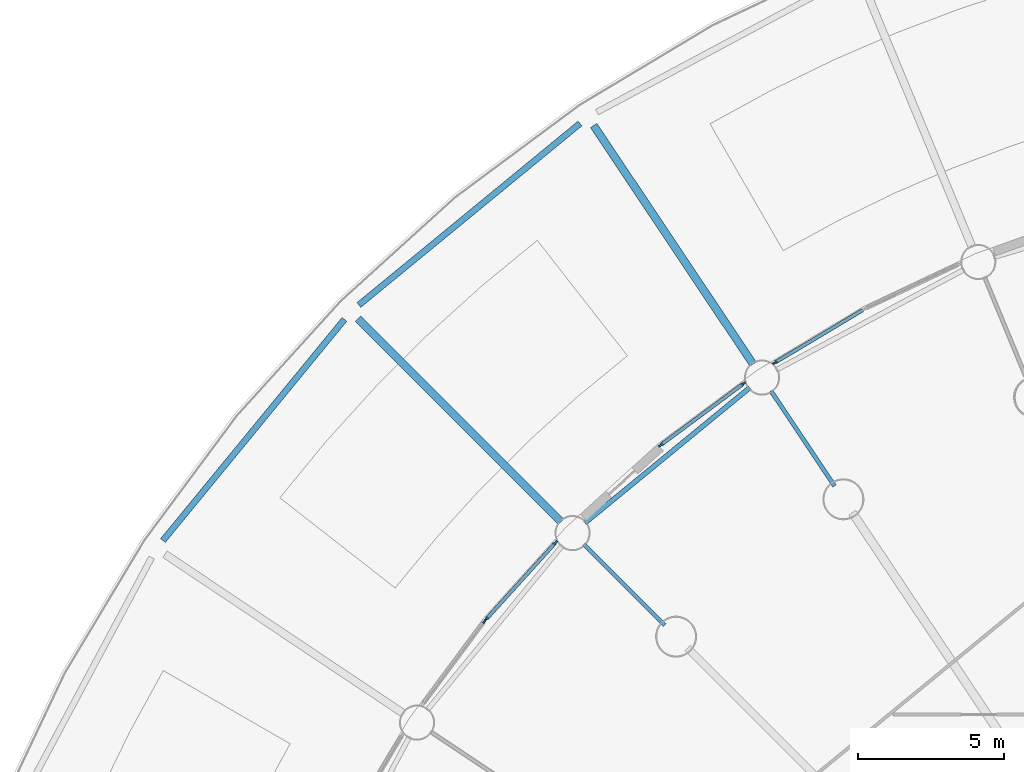
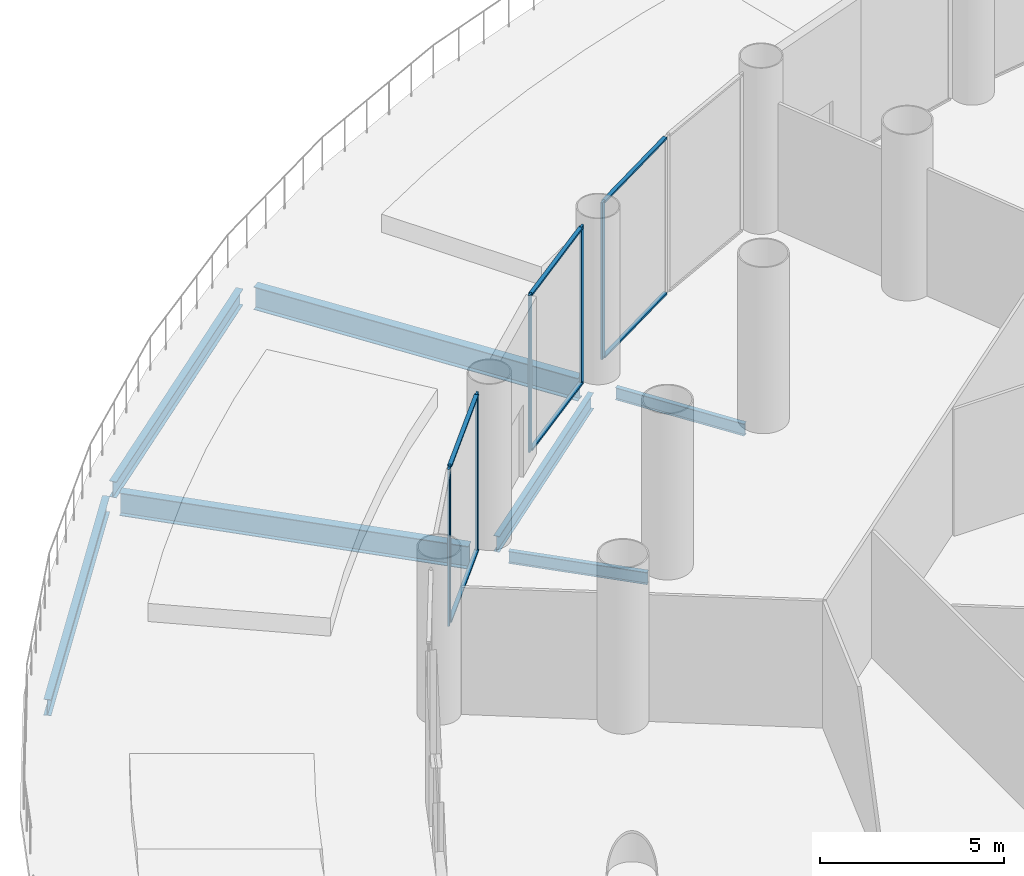
# One storey, part 19 of 36: 12 members, 7 beams, 4 elements without a shape of their own.
"""IFC4 building model written with IfcOpenShell, lengths in metres."""

import ifcopenshell
import ifcopenshell.guid

model = None  # the IFC model being written
_history = None  # IfcOwnerHistory: only IFC2X3 demands one
_inside = {}  # id of a spatial element -> (the spatial element, [elements in it])
_under = {}  # id of a project, library or spatial element -> (it, [spatial elements below it])
_declared = {}  # id of a project -> (the project, [libraries it declares])
_typed = {}  # id of a type object -> (the type object, [elements of that type])
_made_of = {}  # id of a material, layer set ... -> (it, [elements and type objects made of it])


def new_model(schema):
    """Start an empty IFC model of exactly this schema.

    Asked for "IFC4X3", IfcOpenShell would pick the latest addendum, in which some entities
    have other attributes; the version numbers below select the first issue.
    IFC2X3 requires an IfcOwnerHistory on every rooted entity: one is made here for all.
    """
    global model, _history
    if schema == "IFC4X3":
        model = ifcopenshell.file(schema_version=(4, 3, 0, 0))
    else:
        model = ifcopenshell.file(schema=schema)
    _inside.clear()
    _under.clear()
    _declared.clear()
    _typed.clear()
    _made_of.clear()
    _history = None
    if model.schema == "IFC2X3":
        org = make("IfcOrganization", Name="unknown")
        user = make(
            "IfcPersonAndOrganization",
            ThePerson=make("IfcPerson", FamilyName="unknown"),
            TheOrganization=org,
        )
        app = make(
            "IfcApplication",
            ApplicationDeveloper=org,
            Version="unknown",
            ApplicationFullName="unknown",
            ApplicationIdentifier="unknown",
        )
        _history = make(
            "IfcOwnerHistory",
            OwningUser=user,
            OwningApplication=app,
            ChangeAction="ADDED",
            CreationDate=0,
        )
    return model


def make(cls, **values):
    """One entity of the class cls with the attributes given. An attribute that is None is left unset."""
    return model.create_entity(
        cls, **{name: value for name, value in values.items() if value is not None}
    )


def rooted(cls, **values):
    """An entity with a GlobalId (a new one), such as an element, a storey or a relation."""
    return make(cls, GlobalId=ifcopenshell.guid.new(), OwnerHistory=_history, **values)


def si_unit(unit_type, name, prefix=None):
    """IfcSIUnit, for example si_unit("LENGTHUNIT", "METRE", prefix="MILLI")."""
    return make("IfcSIUnit", UnitType=unit_type, Prefix=prefix, Name=name)


def assignment(units):
    """IfcUnitAssignment: the units of a project."""
    return None if units is None else make("IfcUnitAssignment", Units=units)


def point(xyz):
    """IfcCartesianPoint."""
    return None if xyz is None else make("IfcCartesianPoint", Coordinates=xyz)


def direction(xyz):
    """IfcDirection."""
    return None if xyz is None else make("IfcDirection", DirectionRatios=xyz)


def frame(location, z_axis=None, x_axis=None):
    """IfcAxis2Placement3D, a coordinate frame: its origin and axes. An axis left out is left unset."""
    return make(
        "IfcAxis2Placement3D",
        Location=point(location),
        Axis=direction(z_axis),
        RefDirection=direction(x_axis),
    )


def frame_2d(location, x_axis=None):
    """IfcAxis2Placement2D, a coordinate frame in the plane: its origin and x axis."""
    return make(
        "IfcAxis2Placement2D", Location=point(location), RefDirection=direction(x_axis)
    )


def origin():
    """The frame at (0, 0, 0) with its axes left unset."""
    return frame((0.0, 0.0, 0.0))


def origin_2d():
    """The frame at (0, 0) in the plane with its x axis left unset."""
    return frame_2d((0.0, 0.0))


def place(relative_to, where):
    """IfcLocalPlacement: puts the frame where relative to a parent placement (None: the world)."""
    return make(
        "IfcLocalPlacement", PlacementRelTo=relative_to, RelativePlacement=where
    )


def context(
    kind, dimensions, precision=None, world=None, true_north=None, identifier=None
):
    """IfcGeometricRepresentationContext, for example the 3D "Model" context."""
    return make(
        "IfcGeometricRepresentationContext",
        ContextIdentifier=identifier,
        ContextType=kind,
        CoordinateSpaceDimension=dimensions,
        Precision=precision,
        WorldCoordinateSystem=world,
        TrueNorth=true_north,
    )


def subcontext(parent, identifier, kind, view, scale=None):
    """IfcGeometricRepresentationSubContext, for example "Body" below "Model"."""
    return make(
        "IfcGeometricRepresentationSubContext",
        ContextIdentifier=identifier,
        ContextType=kind,
        ParentContext=parent,
        TargetScale=scale,
        TargetView=view,
    )


def project(units=None, contexts=None):
    """IfcProject with its units and contexts."""
    return rooted(
        "IfcProject",
        Name="project",
        RepresentationContexts=contexts,
        UnitsInContext=assignment(units),
    )


def spatial(cls, under=None, at=None, **own):
    """A site, building, storey or space (cls), placed at a placement, below another one or the project."""
    s = rooted(cls, ObjectPlacement=at, **own)
    if under is not None:
        _under.setdefault(under.id(), (under, []))[1].append(s)
    return s


def profile(cls, at=None, kind="AREA", **sizes):
    """A parametric profile (cls). Its sizes go by their IFC names, for example OverallWidth=200.0."""
    return make(cls, ProfileType=kind, Position=at, **sizes)


def rectangle(**sizes):
    """IfcRectangleProfileDef."""
    return profile("IfcRectangleProfileDef", **sizes)


def i_section(**sizes):
    """IfcIShapeProfileDef."""
    return profile("IfcIShapeProfileDef", **sizes)


def extrude(swept, where, along, depth):
    """IfcExtrudedAreaSolid: the profile swept, set in the frame where, extruded along a direction by depth."""
    return make(
        "IfcExtrudedAreaSolid",
        SweptArea=swept,
        Position=where,
        ExtrudedDirection=direction(along),
        Depth=depth,
    )


def shape(context_of_items, identifier, shape_type, items):
    """IfcShapeRepresentation: the items that make up one representation, for example the "Body"."""
    return make(
        "IfcShapeRepresentation",
        ContextOfItems=context_of_items,
        RepresentationIdentifier=identifier,
        RepresentationType=shape_type,
        Items=items,
    )


def material(Name=None, Category=None):
    """IfcMaterial."""
    return make("IfcMaterial", Name=Name, Category=Category)


def material_profile(
    of_material, cross_section, Name=None, Category=None, Priority=None
):
    """IfcMaterialProfile: a cross section and its material."""
    return make(
        "IfcMaterialProfile",
        Name=Name,
        Material=of_material,
        Profile=cross_section,
        Priority=Priority,
        Category=Category,
    )


def profile_set(profiles, Name=None, composite=None):
    """IfcMaterialProfileSet."""
    return make(
        "IfcMaterialProfileSet",
        Name=Name,
        MaterialProfiles=profiles,
        CompositeProfile=composite,
    )


def made_of(thing, what):
    """Note that an element or type object is made of a material, layer set ...; save() writes the relation."""
    if what is not None:
        _made_of.setdefault(what.id(), (what, []))[1].append(thing)
    return thing


def type_object(cls, material=None, **own):
    """A type object (cls), such as IfcWallType, which elements share."""
    return made_of(rooted(cls, **own), material)


def element(
    cls,
    number,
    at=None,
    inside=None,
    cuts=None,
    type_object=None,
    material=None,
    context=None,
    identifier="Body",
    shape_type=None,
    held_by="IfcProductDefinitionShape",
    body=None,
    shapes=None,
    **own,
):
    """One element of the class cls, such as IfcWall. Its Tag is "e" and its number.

    at: its placement. inside: the storey or other place that contains it. cuts: it is an
    opening in that element (IfcRelVoidsElement). A single representation is given by context,
    identifier, shape_type and body (its items); several are given by shapes. held_by: the class
    of the entity that holds the representations. save() writes the other relations.
    """
    e = rooted(cls, Tag="e%d" % number, ObjectPlacement=at, **own)
    if body is not None:
        shapes = [shape(context, identifier, shape_type, body)]
    if shapes is not None:
        e.Representation = make(held_by, Representations=shapes)
    if inside is not None:
        _inside.setdefault(inside.id(), (inside, []))[1].append(e)
    if cuts is not None:
        rooted(
            "IfcRelVoidsElement", RelatingBuildingElement=cuts, RelatedOpeningElement=e
        )
    if type_object is not None:
        _typed.setdefault(type_object.id(), (type_object, []))[1].append(e)
    return made_of(e, material)


def aggregate(whole, parts):
    """IfcRelAggregates: a whole, such as a stair, and the parts it consists of."""
    return rooted("IfcRelAggregates", RelatingObject=whole, RelatedObjects=parts)


def save(model, path):
    """Write the relations noted so far, then the file.

    IfcRelAggregates (storeys below a building ...), IfcRelContainedInSpatialStructure (elements
    in a storey), IfcRelDefinesByType, IfcRelAssociatesMaterial and IfcRelDeclares: one each for
    every whole, place, type object, material and project.
    """
    for whole, parts in _under.values():
        aggregate(whole, parts)
    for where, things in _inside.values():
        rooted(
            "IfcRelContainedInSpatialStructure",
            RelatedElements=things,
            RelatingStructure=where,
        )
    for kind, things in _typed.values():
        rooted("IfcRelDefinesByType", RelatedObjects=things, RelatingType=kind)
    for what, things in _made_of.values():
        rooted("IfcRelAssociatesMaterial", RelatedObjects=things, RelatingMaterial=what)
    for by, libraries in _declared.values():
        rooted("IfcRelDeclares", RelatingContext=by, RelatedDefinitions=libraries)
    model.write(path)


model = new_model("IFC4")

# Units and contexts
model_context = context("Model", 3, precision=1e-05, world=origin(), true_north=direction((0.0, 1.0)))
body_context = subcontext(model_context, "Body", "Model", "MODEL_VIEW")
ifc_project = project(units=[si_unit("LENGTHUNIT", "METRE"), si_unit("AREAUNIT", "SQUARE_METRE"), si_unit("VOLUMEUNIT", "CUBIC_METRE"), si_unit("PLANEANGLEUNIT", "RADIAN"), si_unit("MASSUNIT", "GRAM", prefix="KILO")], contexts=[model_context])

# Site, building, storey
site_placement = place(None, origin())
site = spatial("IfcSite", under=ifc_project, at=site_placement, CompositionType="ELEMENT")
building_placement = place(site_placement, origin())
building = spatial("IfcBuilding", under=site, at=building_placement, Name="Corvane Civic Tower", CompositionType="ELEMENT")
storey_placement = place(building_placement, frame((0.0, 0.0, 6.0)))
storey = spatial("IfcBuildingStorey", under=building, at=storey_placement, Name="L01", CompositionType="ELEMENT", Elevation=6.0)

# Beams
ifc_material_1 = material(Name="Steel ASTM A992 Gr 50", Category="steel")
ifc_material_profile_1 = material_profile(ifc_material_1, i_section(OverallWidth=0.2666015625, OverallDepth=0.7568359375, WebThickness=0.013916015625, FlangeThickness=0.019287109375, at=origin_2d()), Name="W30X108")
ifc_profile_set_1 = profile_set([ifc_material_profile_1], Name="Steel ASTM A992 Gr 50")
beam_type_1 = type_object("IfcBeamType", Name="DECK BEAM W30X108", PredefinedType="BEAM", material=ifc_profile_set_1)
beam_1_placement = place(storey_placement, frame((-30.582275390625, 30.582275390625, -0.678466796875), z_axis=(-0.707106781187, 0.707106781187, 0.0), x_axis=(-0.707106781187, -0.707106781187, 0.0)))
element("IfcBeam", 1, at=beam_1_placement, inside=storey, type_object=beam_type_1, Name="BM-L01-D29", PredefinedType="BEAM", context=body_context, shape_type="SweptSolid", body=[
    extrude(i_section(OverallWidth=0.2666015625, OverallDepth=0.7568359375, WebThickness=0.013916015625, FlangeThickness=0.019287109375, at=origin_2d()), origin(), (0.0, 0.0, 1.0), 9.800048828125),
])
beam_2_placement = place(storey_placement, frame((-24.0283203125, 35.961181640625, -0.678466796875), z_axis=(-0.555579498385, 0.831463421309, 0.0), x_axis=(-0.831463421309, -0.555579498385, 0.0)))
element("IfcBeam", 2, at=beam_2_placement, inside=storey, type_object=beam_type_1, Name="BM-L01-D30", PredefinedType="BEAM", context=body_context, shape_type="SweptSolid", body=[
    extrude(i_section(OverallWidth=0.2666015625, OverallDepth=0.7568359375, WebThickness=0.013916015625, FlangeThickness=0.019287109375, at=origin_2d()), origin(), (0.0, 0.0, 1.0), 9.7998046875),
])
ifc_material_2 = material(Name="Steel ASTM A992 Gr 50", Category="steel")
ifc_material_profile_2 = material_profile(ifc_material_2, i_section(OverallWidth=0.165771484375, OverallDepth=0.5283203125, WebThickness=0.009765625, FlangeThickness=0.013671875, at=origin_2d()), Name="W21X50")
ifc_profile_set_2 = profile_set([ifc_material_profile_2], Name="Steel ASTM A992 Gr 50")
beam_type_2 = type_object("IfcBeamType", Name="EDGE BEAM W21X50", PredefinedType="BEAM", material=ifc_profile_set_2)
beam_3_placement = place(storey_placement, frame((-29.768310546875, 30.542236328125, -0.564208984375), z_axis=(0.773007924807, 0.634396365205, 0.0), x_axis=(-0.634396365205, 0.773007924807, 0.0)))
element("IfcBeam", 3, at=beam_3_placement, inside=storey, type_object=beam_type_2, Name="BM-L01-E29", PredefinedType="BEAM", context=body_context, shape_type="SweptSolid", body=[
    extrude(i_section(OverallWidth=0.165771484375, OverallDepth=0.5283203125, WebThickness=0.009765625, FlangeThickness=0.013671875, at=origin_2d()), origin(), (0.0, 0.0, 1.0), 7.270751953125),
])
ifc_material_3 = material(Name="Steel ASTM A992 Gr 50", Category="steel")
ifc_material_profile_3 = material_profile(ifc_material_3, i_section(OverallWidth=0.209228515625, OverallDepth=0.533447265625, WebThickness=0.01025390625, FlangeThickness=0.015625, at=origin_2d()), Name="W21X62")
ifc_profile_set_3 = profile_set([ifc_material_profile_3], Name="Steel ASTM A992 Gr 50")
beam_type_3 = type_object("IfcBeamType", Name="EDGE BEAM W21X62", PredefinedType="BEAM", material=ifc_profile_set_3)
for number, where, z_axis, x_axis, name in (
    (4, (-44.178466796875, 29.93798828125, -0.566650390625), (0.634396654537, 0.773007687357, 0.0), (-0.773007687357, 0.634396654537, 0.0), "BM-L01-H28"),
    (5, (-37.489013671875, 37.9814453125, -0.566650390625), (0.773007687357, 0.634396654537, 0.0), (-0.634396654537, 0.773007687357, 0.0), "BM-L01-H29"),
):
    element("IfcBeam", number, at=place(storey_placement, frame(where, z_axis=z_axis, x_axis=x_axis)), inside=storey, type_object=beam_type_3, Name=name, PredefinedType="BEAM", context=body_context, shape_type="SweptSolid", body=[
        extrude(i_section(OverallWidth=0.209228515625, OverallDepth=0.533447265625, WebThickness=0.01025390625, FlangeThickness=0.015625, at=origin_2d()), origin(), (0.0, 0.0, 1.0), 9.768310546875),
    ])
ifc_material_4 = material(Name="Steel ASTM A992 Gr 50", Category="steel")
ifc_material_profile_4 = material_profile(ifc_material_4, i_section(OverallWidth=0.140380859375, OverallDepth=0.40380859375, WebThickness=0.007080078125, FlangeThickness=0.01123046875, at=origin_2d()), Name="W16X31")
ifc_profile_set_4 = profile_set([ifc_material_profile_4], Name="Steel ASTM A992 Gr 50")
beam_type_4 = type_object("IfcBeamType", Name="FLOOR GIRDER W16X31", PredefinedType="BEAM", material=ifc_profile_set_4)
for number, where, z_axis, x_axis, name in (
    (6, (-27.046875, 27.046875, -0.501953125), (-0.707106781187, 0.707106781187, 0.0), (-0.707106781187, -0.707106781187, 0.0), "BM-L01-G29b"),
    (7, (-21.25048828125, 31.8037109375, -0.501953125), (-0.555581110199, 0.831462344301, 0.0), (-0.831462344301, -0.555581110199, 0.0), "BM-L01-G30b"),
):
    element("IfcBeam", number, at=place(storey_placement, frame(where, z_axis=z_axis, x_axis=x_axis)), inside=storey, type_object=beam_type_4, Name=name, PredefinedType="BEAM", context=body_context, shape_type="SweptSolid", body=[
        extrude(i_section(OverallWidth=0.140380859375, OverallDepth=0.40380859375, WebThickness=0.007080078125, FlangeThickness=0.01123046875, at=origin_2d()), origin(), (0.0, 0.0, 1.0), 3.89990234375),
    ])

# Curtain wall, member
ifc_material_5 = material(Name="Aluminium and glass", Category="aluminium")
curtain_wall_type = type_object("IfcCurtainWallType", Name="PODIUM-CW-P-RUN", PredefinedType="NOTDEFINED", material=ifc_material_5)
curtain_wall_1_placement = place(storey_placement, origin())
curtain_wall_1 = element("IfcCurtainWall", 8, at=curtain_wall_1_placement, inside=storey, type_object=curtain_wall_type, Name="PODI run L01-drum-28A", PredefinedType="NOTDEFINED")
ifc_material_6 = material(Name="Anodised aluminium bronze", Category="aluminium")
ifc_material_profile_5 = material_profile(ifc_material_6, rectangle(XDim=0.06005859375, YDim=0.159912109375, at=origin_2d()), Name="AL 60x160")
ifc_profile_set_5 = profile_set([ifc_material_profile_5], Name="Anodised aluminium bronze")
member_type_1 = type_object("IfcMemberType", Name="PODIUM-CWP-MULLION-60x160", PredefinedType="MULLION", material=ifc_profile_set_5)
member_1_placement = place(storey_placement, frame((-33.197021484375, 27.18505859375, 0.0), z_axis=(0.0, 0.0, 1.0), x_axis=(-0.803203229747, 0.595705104665, 0.0)))
member_1 = element("IfcMember", 9, at=member_1_placement, type_object=member_type_1, Name="CW-P mullion 2", PredefinedType="MULLION", context=body_context, shape_type="SweptSolid", body=[
    extrude(rectangle(XDim=0.06005859375, YDim=0.159912109375, at=origin_2d()), origin(), (0.0, 0.0, 1.0), 5.199951171875),
])
aggregate(curtain_wall_1, [member_1])

# Curtain wall, members
curtain_wall_2_placement = place(storey_placement, origin())
curtain_wall_2 = element("IfcCurtainWall", 10, at=curtain_wall_2_placement, inside=storey, type_object=curtain_wall_type, Name="PODI run L01-drum-28B", PredefinedType="NOTDEFINED")
member_2_placement = place(storey_placement, frame((-33.13916015625, 27.25537109375, 0.0), z_axis=(0.0, 0.0, 1.0), x_axis=(-0.740935261089, 0.671576457952, 0.0)))
member_2 = element("IfcMember", 11, at=member_2_placement, type_object=member_type_1, Name="CW-P mullion 1", PredefinedType="MULLION", context=body_context, shape_type="SweptSolid", body=[
    extrude(rectangle(XDim=0.06005859375, YDim=0.159912109375, at=origin_2d()), origin(), (0.0, 0.0, 1.0), 5.199951171875),
])
member_3_placement = place(storey_placement, frame((-30.775390625, 29.863525390625, 0.0), z_axis=(0.0, 0.0, 1.0), x_axis=(-0.740935261089, 0.671576457952, 0.0)))
member_3 = element("IfcMember", 12, at=member_3_placement, type_object=member_type_1, Name="CW-P mullion 2", PredefinedType="MULLION", context=body_context, shape_type="SweptSolid", body=[
    extrude(rectangle(XDim=0.06005859375, YDim=0.159912109375, at=origin_2d()), origin(), (0.0, 0.0, 1.0), 5.199951171875),
])

curtain_wall_3_placement = place(storey_placement, origin())
curtain_wall_3 = element("IfcCurtainWall", 13, at=curtain_wall_3_placement, inside=storey, type_object=curtain_wall_type, Name="PODI run L01-drum-29B", PredefinedType="NOTDEFINED")
member_4_placement = place(storey_placement, frame((-27.18505859375, 33.197021484375, 0.0), z_axis=(0.0, 0.0, 1.0), x_axis=(-0.595705104665, 0.803203229747, 0.0)))
member_4 = element("IfcMember", 14, at=member_4_placement, type_object=member_type_1, Name="CW-P mullion 1", PredefinedType="MULLION", context=body_context, shape_type="SweptSolid", body=[
    extrude(rectangle(XDim=0.06005859375, YDim=0.159912109375, at=origin_2d()), origin(), (0.0, 0.0, 1.0), 5.199951171875),
])
member_5_placement = place(storey_placement, frame((-24.35791015625, 35.293701171875, 0.0), z_axis=(0.0, 0.0, 1.0), x_axis=(-0.595705104665, 0.803203229747, 0.0)))
member_5 = element("IfcMember", 15, at=member_5_placement, type_object=member_type_1, Name="CW-P mullion 2", PredefinedType="MULLION", context=body_context, shape_type="SweptSolid", body=[
    extrude(rectangle(XDim=0.06005859375, YDim=0.159912109375, at=origin_2d()), origin(), (0.0, 0.0, 1.0), 5.199951171875),
])

# Curtain wall, member
curtain_wall_4_placement = place(storey_placement, origin())
curtain_wall_4 = element("IfcCurtainWall", 16, at=curtain_wall_4_placement, inside=storey, type_object=curtain_wall_type, Name="PODI run L01-drum-30A", PredefinedType="NOTDEFINED")
member_6_placement = place(storey_placement, frame((-23.28564453125, 36.010009765625, 0.0), z_axis=(0.0, 0.0, 1.0), x_axis=(-0.514117759857, 0.857719609779, 0.0)))
member_6 = element("IfcMember", 17, at=member_6_placement, type_object=member_type_1, Name="CW-P mullion 1", PredefinedType="MULLION", context=body_context, shape_type="SweptSolid", body=[
    extrude(rectangle(XDim=0.06005859375, YDim=0.159912109375, at=origin_2d()), origin(), (0.0, 0.0, 1.0), 5.199951171875),
])

# Member
ifc_material_7 = material(Name="Anodised aluminium bronze", Category="aluminium")
ifc_material_profile_6 = material_profile(ifc_material_7, rectangle(XDim=0.1201171875, YDim=0.06005859375, at=origin_2d()), Name="AL 120x60")
ifc_profile_set_6 = profile_set([ifc_material_profile_6], Name="Anodised aluminium bronze")
member_type_2 = type_object("IfcMemberType", Name="PODIUM-CWP-TRANSOM-60x120", PredefinedType="USERDEFINED", material=ifc_profile_set_6)
member_7_placement = place(storey_placement, frame((-33.119140625, 27.277587890625, 0.030029296875), z_axis=(0.671576323599, 0.740935382865, 0.0), x_axis=(-0.740935382865, 0.671576323599, 0.0)))
member_7 = element("IfcMember", 18, at=member_7_placement, type_object=member_type_2, Name="CW-P transom 1.1", ObjectType="TRANSOM", PredefinedType="USERDEFINED", context=body_context, shape_type="SweptSolid", body=[
    extrude(rectangle(XDim=0.1201171875, YDim=0.06005859375, at=origin_2d()), origin(), (0.0, 0.0, 1.0), 3.460205078125),
])

member_8_placement = place(storey_placement, frame((-33.119140625, 27.277587890625, 5.169921875), z_axis=(0.671576323599, 0.740935382865, 0.0), x_axis=(-0.740935382865, 0.671576323599, 0.0)))
member_8 = element("IfcMember", 19, at=member_8_placement, type_object=member_type_2, Name="CW-P transom 1.2", ObjectType="TRANSOM", PredefinedType="USERDEFINED", context=body_context, shape_type="SweptSolid", body=[
    extrude(rectangle(XDim=0.1201171875, YDim=0.06005859375, at=origin_2d()), origin(), (0.0, 0.0, 1.0), 3.460205078125),
])

aggregate(curtain_wall_2, [member_2, member_3, member_7, member_8])

member_9_placement = place(storey_placement, frame((-27.160888671875, 33.21484375, 0.030029296875), z_axis=(0.803189518598, 0.595723591285, 0.0), x_axis=(-0.595723591285, 0.803189518598, 0.0)))
member_9 = element("IfcMember", 20, at=member_9_placement, type_object=member_type_2, Name="CW-P transom 1.1", ObjectType="TRANSOM", PredefinedType="USERDEFINED", context=body_context, shape_type="SweptSolid", body=[
    extrude(rectangle(XDim=0.1201171875, YDim=0.06005859375, at=origin_2d()), origin(), (0.0, 0.0, 1.0), 3.459716796875),
])

member_10_placement = place(storey_placement, frame((-27.160888671875, 33.21484375, 5.169921875), z_axis=(0.803189518598, 0.595723591285, 0.0), x_axis=(-0.595723591285, 0.803189518598, 0.0)))
member_10 = element("IfcMember", 21, at=member_10_placement, type_object=member_type_2, Name="CW-P transom 1.2", ObjectType="TRANSOM", PredefinedType="USERDEFINED", context=body_context, shape_type="SweptSolid", body=[
    extrude(rectangle(XDim=0.1201171875, YDim=0.06005859375, at=origin_2d()), origin(), (0.0, 0.0, 1.0), 3.459716796875),
])

aggregate(curtain_wall_3, [member_4, member_5, member_9, member_10])

member_11_placement = place(storey_placement, frame((-23.259765625, 36.025634765625, 0.030029296875), z_axis=(0.857723234181, 0.514111713099, 0.0), x_axis=(-0.514111713099, 0.857723234181, 0.0)))
member_11 = element("IfcMember", 22, at=member_11_placement, type_object=member_type_2, Name="CW-P transom 1.1", ObjectType="TRANSOM", PredefinedType="USERDEFINED", context=body_context, shape_type="SweptSolid", body=[
    extrude(rectangle(XDim=0.1201171875, YDim=0.06005859375, at=origin_2d()), origin(), (0.0, 0.0, 1.0), 3.45947265625),
])

member_12_placement = place(storey_placement, frame((-23.259765625, 36.025634765625, 5.169921875), z_axis=(0.857723234181, 0.514111713099, 0.0), x_axis=(-0.514111713099, 0.857723234181, 0.0)))
member_12 = element("IfcMember", 23, at=member_12_placement, type_object=member_type_2, Name="CW-P transom 1.2", ObjectType="TRANSOM", PredefinedType="USERDEFINED", context=body_context, shape_type="SweptSolid", body=[
    extrude(rectangle(XDim=0.1201171875, YDim=0.06005859375, at=origin_2d()), origin(), (0.0, 0.0, 1.0), 3.45947265625),
])

aggregate(curtain_wall_4, [member_6, member_11, member_12])

save(model, "model.ifc")
